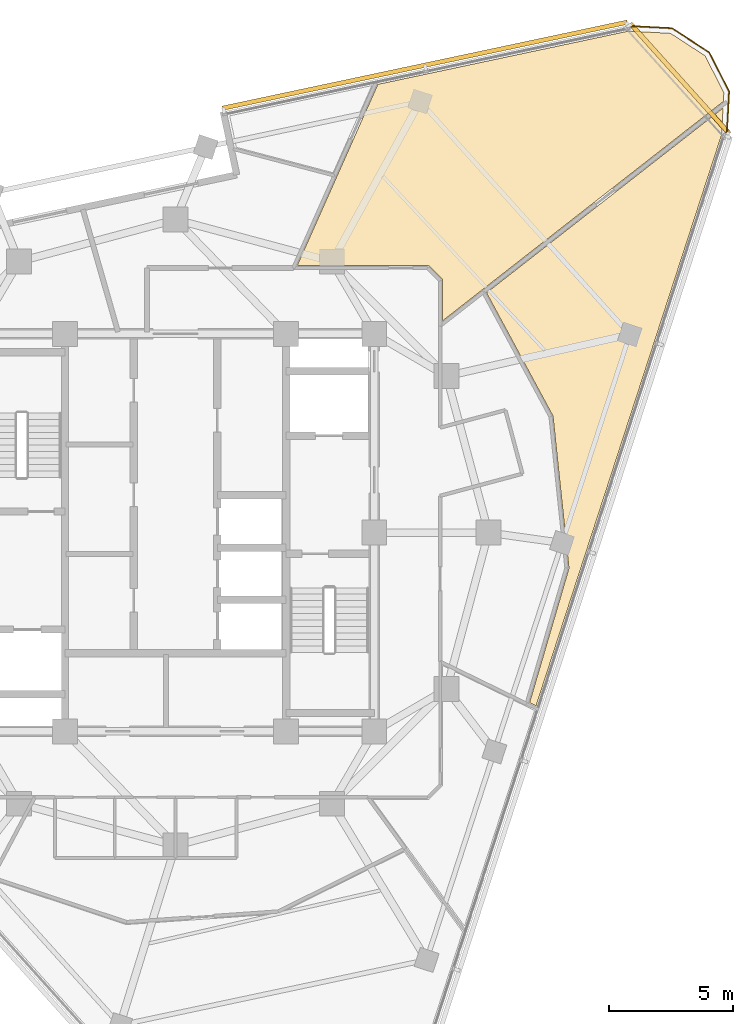
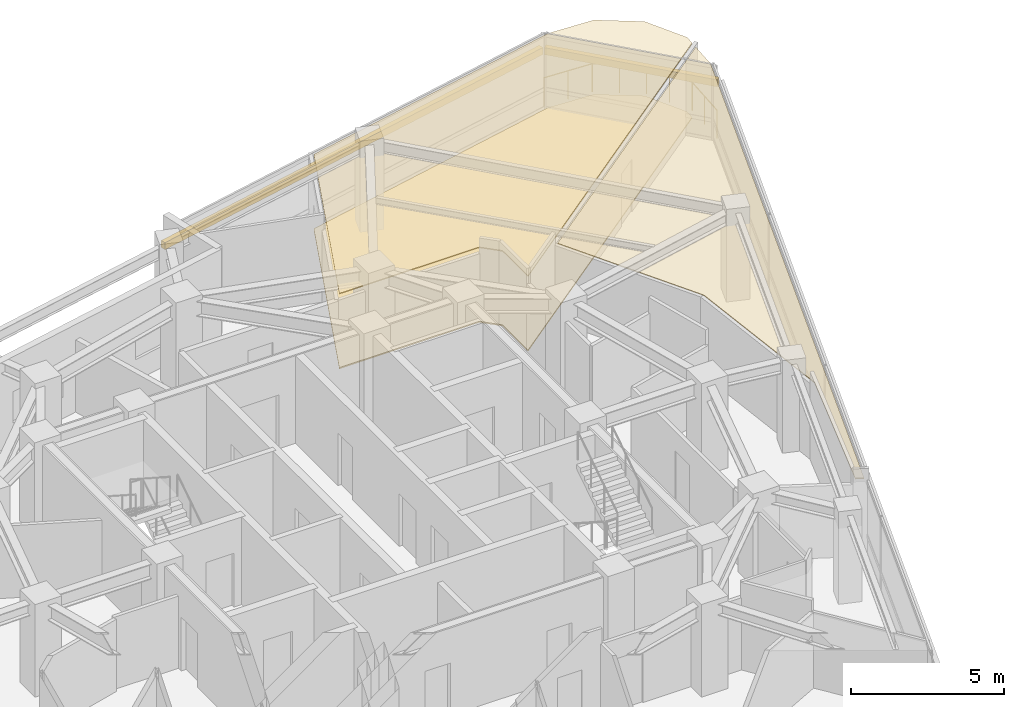
# One storey, part 15 of 15: 3 coverings, 2 shading devices, 1 railing.
"""IFC4 building model written with IfcOpenShell, lengths in metres."""

from ifc_helpers import new_model, si_unit, direction, frame, origin, origin_2d, place, context, subcontext, project, spatial, polyline, rectangle, circle, outline, extrude, material, layer, layer_set, type_object, element, save


model = new_model("IFC4")

# Units and contexts
model_context = context("Model", 3, precision=1e-05, world=origin(), true_north=direction((0.0, 1.0)))
body_context = subcontext(model_context, "Body", "Model", "MODEL_VIEW")
ifc_project = project(units=[si_unit("LENGTHUNIT", "METRE"), si_unit("AREAUNIT", "SQUARE_METRE"), si_unit("VOLUMEUNIT", "CUBIC_METRE"), si_unit("PLANEANGLEUNIT", "RADIAN"), si_unit("MASSUNIT", "GRAM", prefix="KILO")], contexts=[model_context])

# Site, building, storey
site_placement = place(None, origin())
site = spatial("IfcSite", under=ifc_project, at=site_placement, CompositionType="ELEMENT")
building_placement = place(site_placement, origin())
building = spatial("IfcBuilding", under=site, at=building_placement, Name="Terralouvre Media Tower", CompositionType="ELEMENT")
storey_placement = place(building_placement, frame((0.0, 0.0, 294.300048828125)))
storey = spatial("IfcBuildingStorey", under=building, at=storey_placement, Name="L76", CompositionType="ELEMENT", Elevation=294.300048828125)

# Coverings
ifc_material_1 = material(Name="Resilient elastomer acoustic broadcast studio flooring")
ifc_layer_1 = layer(ifc_material_1, 0.050048828125, Name="Broadcast Studio Acoustic Floating Floor FL-AC1")
ifc_layer_set_1 = layer_set([ifc_layer_1], Name="Resilient elastomer acoustic broadcast studio flooring")
covering_type_1 = type_object("IfcCoveringType", Name="Broadcast Studio Acoustic Floating Floor FL-AC1", PredefinedType="FLOORING", material=ifc_layer_set_1)
covering_1_placement = place(storey_placement, frame((0.0, 0.0, 0.0), z_axis=(0.0, 0.0, 1.0), x_axis=(0.309016994375, 0.951056516295, 0.0)))
element("IfcCovering", 1, at=covering_1_placement, inside=storey, type_object=covering_type_1, Name="L76 Staff Quiet Reading Club 7 Acoustic Floating Floor", PredefinedType="FLOORING", context=body_context, shape_type="SweptSolid", body=[
    extrude(outline(polyline([(19.6767578125, -2.168212890625), (15.631103515625, -1.743408203125), (11.73681640625, -1.33447265625), (13.3603515625, -6.331298828125), (13.363037109375, -6.3408203125), (13.364501953125, -6.350341796875), (13.365234375, -6.360107421875), (13.364990234375, -6.3701171875), (13.36376953125, -6.379638671875), (13.361572265625, -6.389404296875), (13.3583984375, -6.398681640625), (13.354248046875, -6.407470703125), (13.033447265625, -7.03759765625), (13.0283203125, -7.046142578125), (13.022705078125, -7.05419921875), (13.016357421875, -7.0615234375), (13.00927734375, -7.068359375), (13.00146484375, -7.07421875), (12.9931640625, -7.07958984375), (12.984375, -7.083740234375), (12.97509765625, -7.08740234375), (11.4306640625, -7.589111328125), (13.092041015625, -8.7099609375), (23.322021484375, -15.610595703125), (23.666015625, -15.51806640625), (24.841552734375, -14.342529296875), (25.272216796875, -12.73681640625), (24.834228515625, -11.10107421875), (19.6767578125, -2.168212890625)])), origin(), (0.0, 0.0, 1.0), 0.050048828125),
])
ifc_material_2 = material(Name="Perforated aluminium acoustic ceiling baffle", Category="aluminium")
ifc_layer_2 = layer(ifc_material_2, 0.0400390625, Name="Perforated Acoustic Metal Tile Ceiling CL-AC1")
ifc_layer_set_2 = layer_set([ifc_layer_2], Name="Perforated aluminium acoustic ceiling baffle")
covering_type_2 = type_object("IfcCoveringType", Name="Perforated Acoustic Metal Tile Ceiling CL-AC1", PredefinedType="CEILING", material=ifc_layer_set_2)
covering_2_placement = place(storey_placement, frame((0.0, 0.0, 2.97998046875), z_axis=(0.0, 0.0, 1.0), x_axis=(0.309016994375, 0.951056516295, 0.0)))
element("IfcCovering", 2, at=covering_2_placement, inside=storey, type_object=covering_type_2, Name="L76 Podcast Editing Creative Workshop 6 Acoustic Ceiling", PredefinedType="CEILING", context=body_context, shape_type="SweptSolid", body=[
    extrude(outline(polyline([(9.172119140625, -12.985107421875), (9.1650390625, -12.991943359375), (9.1572265625, -12.997802734375), (9.149169921875, -13.003173828125), (9.140380859375, -13.007568359375), (3.550048828125, -15.496826171875), (3.541015625, -15.50048828125), (3.531494140625, -15.503173828125), (3.52197265625, -15.504638671875), (3.51220703125, -15.505615234375), (-2.10107421875, -15.6689453125), (-2.1416015625, -15.956298828125), (22.031494140625, -15.95654296875), (23.066162109375, -15.67919921875), (13.05029296875, -8.923095703125), (9.172119140625, -12.985107421875)])), origin(), (0.0, 0.0, 1.0), 0.0400390625),
])
covering_3_placement = place(storey_placement, frame((0.0, 0.0, 2.97998046875), z_axis=(0.0, 0.0, 1.0), x_axis=(0.309016994375, 0.951056516295, 0.0)))
element("IfcCovering", 3, at=covering_3_placement, inside=storey, type_object=covering_type_2, Name="L76 Staff Quiet Reading Club 7 Acoustic Ceiling", PredefinedType="CEILING", context=body_context, shape_type="SweptSolid", body=[
    extrude(outline(polyline([(19.6767578125, -2.168212890625), (15.631103515625, -1.743408203125), (11.73681640625, -1.33447265625), (13.3603515625, -6.331298828125), (13.363037109375, -6.3408203125), (13.364501953125, -6.350341796875), (13.365234375, -6.360107421875), (13.364990234375, -6.3701171875), (13.36376953125, -6.379638671875), (13.361572265625, -6.389404296875), (13.3583984375, -6.398681640625), (13.354248046875, -6.407470703125), (13.033447265625, -7.03759765625), (13.0283203125, -7.046142578125), (13.022705078125, -7.05419921875), (13.016357421875, -7.0615234375), (13.00927734375, -7.068359375), (13.00146484375, -7.07421875), (12.9931640625, -7.07958984375), (12.984375, -7.083740234375), (12.97509765625, -7.08740234375), (11.4306640625, -7.589111328125), (13.092041015625, -8.7099609375), (23.322021484375, -15.610595703125), (23.666015625, -15.51806640625), (24.841552734375, -14.342529296875), (25.272216796875, -12.73681640625), (24.834228515625, -11.10107421875), (19.6767578125, -2.168212890625)])), origin(), (0.0, 0.0, 1.0), 0.0400390625),
])

# Railing
ifc_material_3 = material(Name="Stainless steel 316 handrail and balustrade", Category="steel")
ifc_layer_3 = layer(ifc_material_3, 0.06005859375, Name="Roof Edge Safety Guardrail GR-ROOF1")
ifc_layer_set_3 = layer_set([ifc_layer_3], Name="Stainless steel 316 handrail and balustrade")
railing_type = type_object("IfcRailingType", Name="Roof Edge Safety Guardrail GR-ROOF1", PredefinedType="GUARDRAIL", material=ifc_layer_set_3)
railing_placement = place(storey_placement, frame((22.189453125, 15.972900390625, 0.0)))
element("IfcRailing", 4, at=railing_placement, inside=storey, type_object=railing_type, Name="L76 Wind-Corner Perimeter Safety Guardrail C1", PredefinedType="GUARDRAIL", context=body_context, shape_type="SweptSolid", body=[
    extrude(circle(Radius=0.02099609375, at=origin_2d()), frame((0.0, 0.0, 1.12890625), z_axis=(0.052530038308, 0.998619344433, 0.0), x_axis=(-0.998619344433, 0.052530038308, 0.0)), (0.0, 0.0, 1.0), 1.780029296875),
    extrude(circle(Radius=0.02099609375, at=origin_2d()), frame((0.093505859375, 1.777587890625, 1.12890625), z_axis=(-0.453894958645, 0.891055198356, 0.0), x_axis=(-0.891055198356, -0.453894958645, 0.0)), (0.0, 0.0, 1.0), 1.77978515625),
    extrude(circle(Radius=0.02099609375, at=origin_2d()), frame((-0.71435546875, 3.363525390625, 1.12890625), z_axis=(-0.838763173907, 0.544496407791, 0.0), x_axis=(-0.544496407791, -0.838763173907, 0.0)), (0.0, 0.0, 1.0), 1.779541015625),
    extrude(circle(Radius=0.02099609375, at=origin_2d()), frame((-2.20703125, 4.33251953125, 1.12890625), z_axis=(-0.998641217395, 0.052112560095, 0.0), x_axis=(-0.052112560095, -0.998641217395, 0.0)), (0.0, 0.0, 1.0), 1.7802734375),
    extrude(circle(Radius=0.01904296875, at=origin_2d()), origin(), (0.0, 0.0, 1.0), 1.10791015625),
    extrude(circle(Radius=0.01904296875, at=origin_2d()), frame((0.046875, 0.888671875, 0.0)), (0.0, 0.0, 1.0), 1.10791015625),
    extrude(circle(Radius=0.01904296875, at=origin_2d()), frame((0.093505859375, 1.777587890625, 0.0)), (0.0, 0.0, 1.0), 1.10791015625),
    extrude(circle(Radius=0.01904296875, at=origin_2d()), frame((-0.310546875, 2.570556640625, 0.0)), (0.0, 0.0, 1.0), 1.10791015625),
    extrude(circle(Radius=0.01904296875, at=origin_2d()), frame((-0.71435546875, 3.363525390625, 0.0)), (0.0, 0.0, 1.0), 1.10791015625),
    extrude(circle(Radius=0.01904296875, at=origin_2d()), frame((-1.460693359375, 3.84814453125, 0.0)), (0.0, 0.0, 1.0), 1.10791015625),
    extrude(circle(Radius=0.01904296875, at=origin_2d()), frame((-2.20703125, 4.33251953125, 0.0)), (0.0, 0.0, 1.0), 1.10791015625),
    extrude(circle(Radius=0.01904296875, at=origin_2d()), frame((-3.095947265625, 4.37890625, 0.0)), (0.0, 0.0, 1.0), 1.10791015625),
    extrude(circle(Radius=0.01904296875, at=origin_2d()), frame((-3.98486328125, 4.42529296875, 0.0)), (0.0, 0.0, 1.0), 1.10791015625),
])

# Shading devices
ifc_material_4 = material(Name="Extruded terracotta baguette sunshade louvres", Category="masonry")
shading_device_type = type_object("IfcShadingDeviceType", Name="Terracotta Baguette Sunshade Louvre Screen TB-LV1", PredefinedType="USERDEFINED", material=ifc_material_4)
shading_device_1_placement = place(storey_placement, frame((10.03759765625, 18.814453125, 2.02392578125), z_axis=(0.0, 0.0, 1.0), x_axis=(-0.978147588229, -0.207911749648, 0.0)))
element("IfcShadingDevice", 5, at=shading_device_1_placement, inside=storey, type_object=shading_device_type, Name="CW-L76-F1L Terracotta Baguette Sunshade Louvre", ObjectType="BAGUETTE", PredefinedType="USERDEFINED", context=body_context, shape_type="SweptSolid", body=[
    extrude(rectangle(XDim=16.659912109375, YDim=0.179931640625, at=origin_2d()), origin(), (0.0, 0.0, 1.0), 0.280029296875),
])
shading_device_2_placement = place(storey_placement, frame((20.29736328125, 18.27587890625, 2.02392578125), z_axis=(0.0, 0.0, 1.0), x_axis=(-0.669130231192, 0.743145163279, 0.0)))
element("IfcShadingDevice", 6, at=shading_device_2_placement, inside=storey, type_object=shading_device_type, Name="CW-L76-C1 Terracotta Baguette Sunshade Louvre", ObjectType="BAGUETTE", PredefinedType="USERDEFINED", context=body_context, shape_type="SweptSolid", body=[
    extrude(rectangle(XDim=5.958251953125, YDim=0.179931640625, at=origin_2d()), origin(), (0.0, 0.0, 1.0), 0.280029296875),
])

save(model, "model.ifc")
